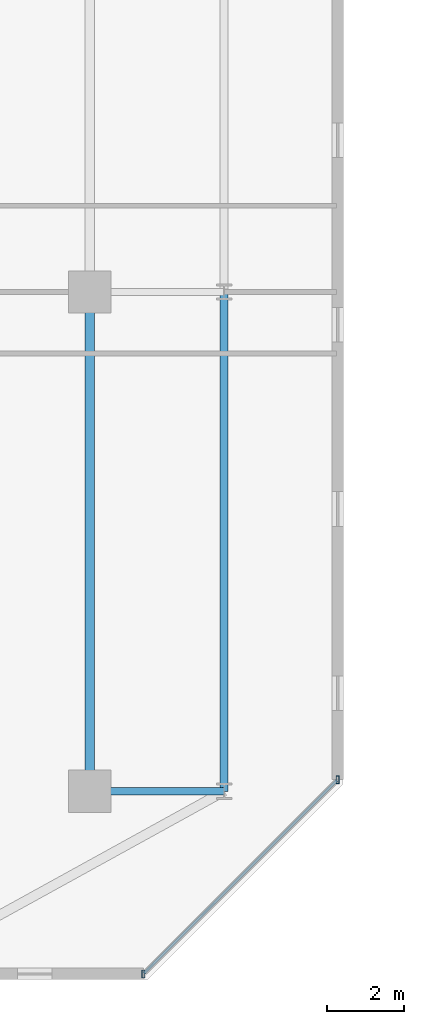
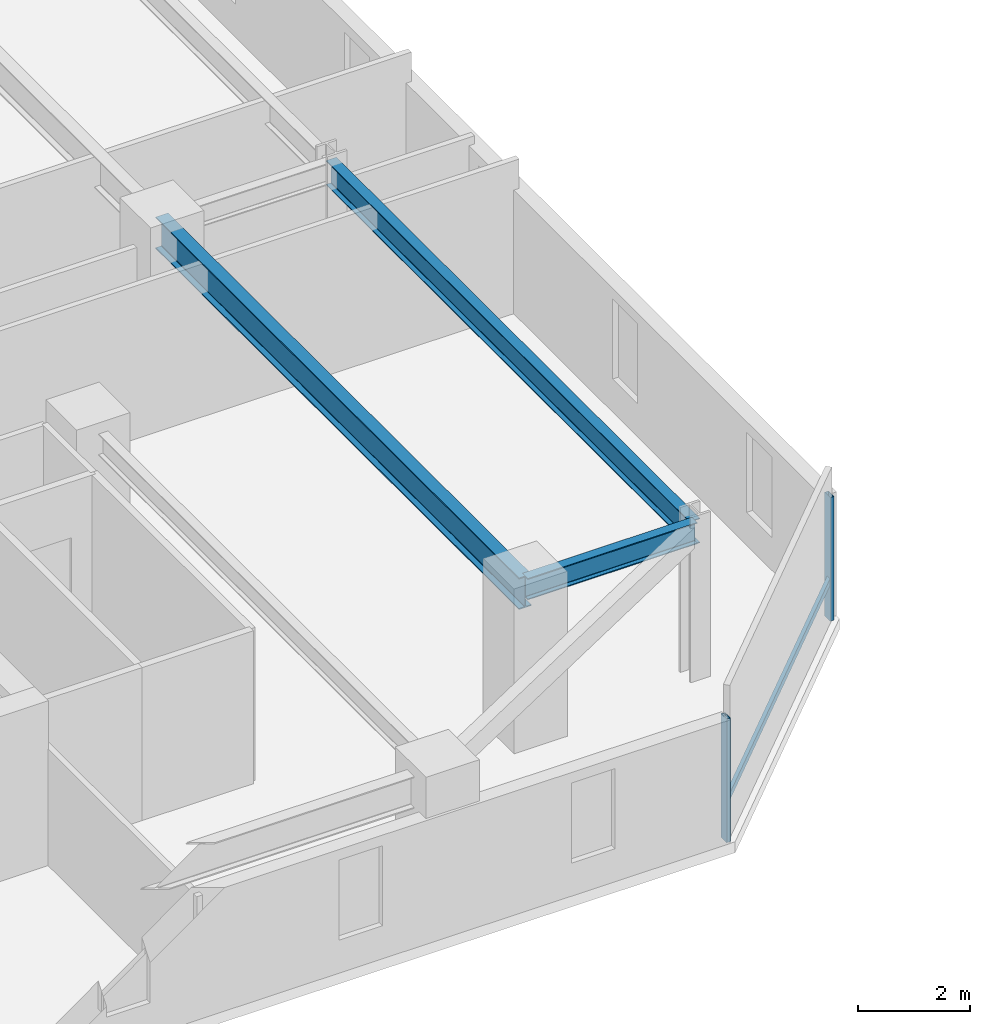
# One storey, part 5 of 33: 3 beams, 3 members, 1 element without a shape of its own.
"""IFC4 building model written with IfcOpenShell, lengths in metres."""

from ifc_helpers import new_model, si_unit, direction, frame, origin, origin_2d, place, context, subcontext, project, spatial, hollow_rectangle, i_section, extrude, material, material_profile, profile_set, type_object, element, aggregate, save


model = new_model("IFC4")

# Units and contexts
model_context = context("Model", 3, precision=1e-05, world=origin(), true_north=direction((0.0, 1.0)))
body_context = subcontext(model_context, "Body", "Model", "MODEL_VIEW")
ifc_project = project(units=[si_unit("LENGTHUNIT", "METRE"), si_unit("AREAUNIT", "SQUARE_METRE"), si_unit("VOLUMEUNIT", "CUBIC_METRE"), si_unit("PLANEANGLEUNIT", "RADIAN"), si_unit("MASSUNIT", "GRAM", prefix="KILO")], contexts=[model_context])

# Site, building, storey
site_placement = place(None, origin())
site = spatial("IfcSite", under=ifc_project, at=site_placement, CompositionType="ELEMENT")
building_placement = place(site_placement, origin())
building = spatial("IfcBuilding", under=site, at=building_placement, Name="Thornwick Lancets Civic Towers", CompositionType="ELEMENT")
storey_placement = place(building_placement, frame((0.0, 0.0, 189.300048828125)))
storey = spatial("IfcBuildingStorey", under=building, at=storey_placement, Name="L50", CompositionType="ELEMENT", Elevation=189.300048828125)

# Beams
ifc_material_1 = material(Name="Steel S355JR", Category="steel")
ifc_material_profile_1 = material_profile(ifc_material_1, i_section(OverallWidth=0.210693359375, OverallDepth=0.53955078125, WebThickness=0.01171875, FlangeThickness=0.018798828125, FilletRadius=0.0126953125, at=origin_2d()), Name="UKB 533x210x109")
ifc_profile_set_1 = profile_set([ifc_material_profile_1], Name="Steel S355JR")
beam_type_1 = type_object("IfcBeamType", Name="BM_EDGE_533_109", PredefinedType="SPANDREL", material=ifc_profile_set_1)
beam_1_placement = place(storey_placement, frame((46.300048828125, 14.0, 3.09033203125), z_axis=(0.0, 1.0, 0.0), x_axis=(-1.0, 0.0, 0.0)))
element("IfcBeam", 1, at=beam_1_placement, inside=storey, type_object=beam_type_1, Name="BM-EDGE-L50-A-S1-1", PredefinedType="SPANDREL", context=body_context, shape_type="SweptSolid", body=[
    extrude(i_section(OverallWidth=0.210693359375, OverallDepth=0.53955078125, WebThickness=0.01171875, FlangeThickness=0.018798828125, FilletRadius=0.0126953125, at=origin_2d()), origin(), (0.0, 0.0, 1.0), 13.0),
])
ifc_material_profile_2 = material_profile(ifc_material_1, i_section(OverallWidth=0.255859375, OverallDepth=0.69287109375, WebThickness=0.014404296875, FlangeThickness=0.023681640625, FilletRadius=0.01513671875, at=origin_2d()), Name="UKB 686x254x170")
ifc_profile_set_2 = profile_set([ifc_material_profile_2], Name="Steel S355JR")
beam_type_2 = type_object("IfcBeamType", Name="BM_GIRD_686_170", PredefinedType="BEAM", material=ifc_profile_set_2)
beam_2_placement = place(storey_placement, frame((42.800048828125, 14.0, 3.013427734375), z_axis=(0.0, 1.0, 0.0), x_axis=(-1.0, 0.0, 0.0)))
element("IfcBeam", 2, at=beam_2_placement, inside=storey, type_object=beam_type_2, Name="BM-SPINE-L50-A-3-4", PredefinedType="BEAM", context=body_context, shape_type="SweptSolid", body=[
    extrude(i_section(OverallWidth=0.255859375, OverallDepth=0.69287109375, WebThickness=0.014404296875, FlangeThickness=0.023681640625, FilletRadius=0.01513671875, at=origin_2d()), origin(), (0.0, 0.0, 1.0), 13.0),
])
ifc_material_profile_3 = material_profile(ifc_material_1, i_section(OverallWidth=0.19287109375, OverallDepth=0.46728515625, WebThickness=0.011474609375, FlangeThickness=0.01953125, FilletRadius=0.01025390625, at=origin_2d()), Name="UKB 457x191x98")
ifc_profile_set_3 = profile_set([ifc_material_profile_3], Name="Steel S355JR")
beam_type_3 = type_object("IfcBeamType", Name="BM_JOIST_457_98", PredefinedType="JOIST", material=ifc_profile_set_3)
beam_3_placement = place(storey_placement, frame((42.800048828125, 14.0, 3.12646484375), z_axis=(1.0, 0.0, 0.0), x_axis=(0.0, 1.0, 0.0)))
element("IfcBeam", 3, at=beam_3_placement, inside=storey, type_object=beam_type_3, Name="BM-RAD-L50-A04", PredefinedType="JOIST", context=body_context, shape_type="SweptSolid", body=[
    extrude(i_section(OverallWidth=0.19287109375, OverallDepth=0.46728515625, WebThickness=0.011474609375, FlangeThickness=0.01953125, FilletRadius=0.01025390625, at=origin_2d()), origin(), (0.0, 0.0, 1.0), 3.5),
])

# Curtain wall, members
ifc_material_2 = material(Name="Mid-zone chamfered-corner unitised glass curtain wall", Category="glass")
curtain_wall_type = type_object("IfcCurtainWallType", Name="CW_SYS_04", PredefinedType="NOTDEFINED", material=ifc_material_2)
curtain_wall_placement = place(storey_placement, origin())
curtain_wall = element("IfcCurtainWall", 4, at=curtain_wall_placement, inside=storey, type_object=curtain_wall_type, Name="L50 Curtain Wall CW-L50-A-E1", PredefinedType="NOTDEFINED")
ifc_material_3 = material(Name="Thermally broken bronze aluminium S355", Category="steel")
ifc_material_profile_4 = material_profile(ifc_material_3, hollow_rectangle(XDim=0.080078125, YDim=0.199951171875, WallThickness=0.006103515625, at=origin_2d()), Name="RHS 200x80x6")
ifc_profile_set_4 = profile_set([ifc_material_profile_4], Name="Thermally broken bronze aluminium S355")
member_type_1 = type_object("IfcMemberType", Name="CW_MUL_200", PredefinedType="MULLION", material=ifc_profile_set_4)
member_1_placement = place(storey_placement, frame((44.199462890625, 9.24365234375, 0.0), z_axis=(0.0, 0.0, 1.0), x_axis=(1.0, 0.0, 0.0)))
member_1 = element("IfcMember", 5, at=member_1_placement, type_object=member_type_1, Name="CW-L50-A-E1 Mullion 0", PredefinedType="MULLION", context=body_context, shape_type="SweptSolid", body=[
    extrude(hollow_rectangle(XDim=0.080078125, YDim=0.199951171875, WallThickness=0.006103515625, at=origin_2d()), origin(), (0.0, 0.0, 1.0), 2.699951171875),
])
member_2_placement = place(storey_placement, frame((49.25634765625, 14.300537109375, 0.0), z_axis=(0.0, 0.0, 1.0), x_axis=(1.0, 0.0, 0.0)))
member_2 = element("IfcMember", 6, at=member_2_placement, type_object=member_type_1, Name="CW-L50-A-E1 Mullion 1", PredefinedType="MULLION", context=body_context, shape_type="SweptSolid", body=[
    extrude(hollow_rectangle(XDim=0.080078125, YDim=0.199951171875, WallThickness=0.006103515625, at=origin_2d()), origin(), (0.0, 0.0, 1.0), 2.699951171875),
])
ifc_material_profile_5 = material_profile(ifc_material_3, hollow_rectangle(XDim=0.074951171875, YDim=0.14990234375, WallThickness=0.0048828125, at=origin_2d()), Name="RHS 150x75x5")
ifc_profile_set_5 = profile_set([ifc_material_profile_5], Name="Thermally broken bronze aluminium S355")
member_type_2 = type_object("IfcMemberType", Name="CW_TRN_150", PredefinedType="USERDEFINED", material=ifc_profile_set_5)
member_3_placement = place(storey_placement, frame((44.21337890625, 9.2578125, 0.849853515625), z_axis=(0.707106781187, 0.707106781187, 0.0), x_axis=(-0.707106781187, 0.707106781187, 0.0)))
member_3 = element("IfcMember", 7, at=member_3_placement, type_object=member_type_2, Name="CW-L50-A-E1 Transom 0", ObjectType="TRANSOM", PredefinedType="USERDEFINED", context=body_context, shape_type="SweptSolid", body=[
    extrude(hollow_rectangle(XDim=0.074951171875, YDim=0.14990234375, WallThickness=0.0048828125, at=origin_2d()), origin(), (0.0, 0.0, 1.0), 7.11181640625),
])
aggregate(curtain_wall, [member_1, member_2, member_3])

save(model, "model.ifc")
